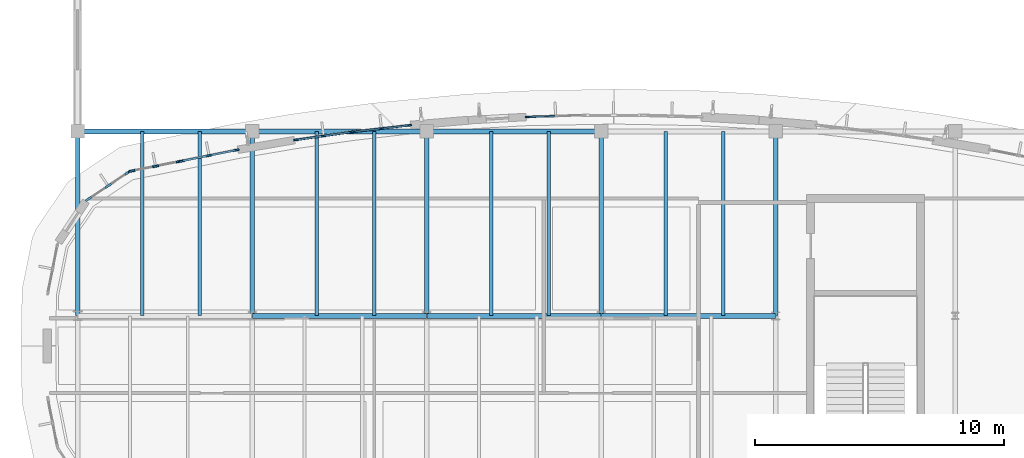
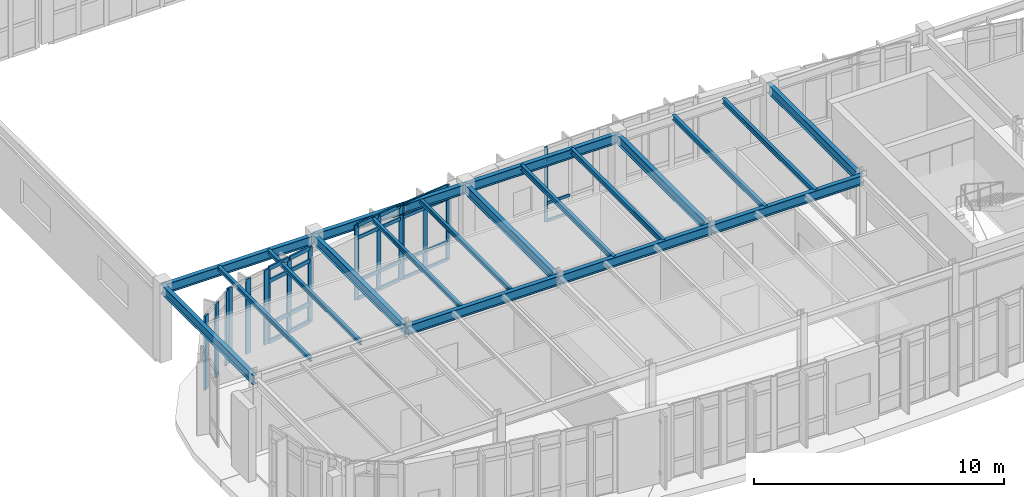
# One storey, part 37 of 111: 43 members, 19 beams, 6 elements without a shape of their own.
"""IFC4 building model written with IfcOpenShell, lengths in metres."""

from ifc_helpers import new_model, si_unit, direction, frame, origin, origin_2d, place, context, subcontext, project, spatial, rectangle, i_section, extrude, material, material_profile, profile_set, type_object, element, aggregate, save


model = new_model("IFC4")

# Units and contexts
model_context = context("Model", 3, precision=1e-05, world=origin(), true_north=direction((0.0, 1.0)))
body_context = subcontext(model_context, "Body", "Model", "MODEL_VIEW")
ifc_project = project(units=[si_unit("LENGTHUNIT", "METRE"), si_unit("AREAUNIT", "SQUARE_METRE"), si_unit("VOLUMEUNIT", "CUBIC_METRE"), si_unit("PLANEANGLEUNIT", "RADIAN"), si_unit("MASSUNIT", "GRAM", prefix="KILO")], contexts=[model_context])

# Site, building, storey
site_placement = place(None, origin())
site = spatial("IfcSite", under=ifc_project, at=site_placement, CompositionType="ELEMENT")
building_placement = place(site_placement, origin())
building = spatial("IfcBuilding", under=site, at=building_placement, Name="Corveleigh Park Community Centre", CompositionType="ELEMENT")
storey_placement = place(building_placement, frame((0.0, 0.0, 4.800048828125)))
storey = spatial("IfcBuildingStorey", under=building, at=storey_placement, Name="L01", CompositionType="ELEMENT", Elevation=4.800048828125)

# Beams
ifc_material_1 = material(Name="Steel S355", Category="steel")
ifc_material_profile_1 = material_profile(ifc_material_1, i_section(OverallWidth=0.13330078125, OverallDepth=0.203125, WebThickness=0.005615234375, FlangeThickness=0.0078125, at=origin_2d()), Name="UKB 203x133x25", Category="steel")
ifc_profile_set_1 = profile_set([ifc_material_profile_1], Name="Steel S355")
beam_type_1 = type_object("IfcBeamType", Name="BM-STL-UKB203x25", PredefinedType="JOIST", material=ifc_profile_set_1)
for number, where, z_axis, x_axis, name in (
    (1, (13.7900390625, 85.405029296875, 3.51025390625), (0.0, 1.0, 0.0), (-1.0, 0.0, 0.0), "Secondary floor joist"),
    (2, (16.10009765625, 85.405029296875, 3.51025390625), (0.0, 1.0, 0.0), (-1.0, 0.0, 0.0), "Secondary floor joist"),
):
    element("IfcBeam", number, at=place(storey_placement, frame(where, z_axis=z_axis, x_axis=x_axis)), inside=storey, type_object=beam_type_1, Name=name, PredefinedType="JOIST", context=body_context, shape_type="SweptSolid", body=[
        extrude(i_section(OverallWidth=0.13330078125, OverallDepth=0.203125, WebThickness=0.005615234375, FlangeThickness=0.0078125, at=origin_2d()), origin(), (0.0, 0.0, 1.0), 7.389892578125),
    ])
ifc_material_profile_2 = material_profile(ifc_material_1, i_section(OverallWidth=0.1337890625, OverallDepth=0.206787109375, WebThickness=0.00634765625, FlangeThickness=0.009521484375, at=origin_2d()), Name="UKB 203x133x30", Category="steel")
ifc_profile_set_2 = profile_set([ifc_material_profile_2], Name="Steel S355")
beam_type_2 = type_object("IfcBeamType", Name="BM-STL-UKB203x30", PredefinedType="JOIST", material=ifc_profile_set_2)
for number, where, z_axis, x_axis, name in (
    (3, (20.7900390625, 85.405029296875, 3.553466796875), (0.0, 1.0, 0.0), (-1.0, 0.0, 0.0), "Secondary floor joist"),
    (4, (23.10009765625, 85.405029296875, 3.553466796875), (0.0, 1.0, 0.0), (-1.0, 0.0, 0.0), "Secondary floor joist"),
):
    element("IfcBeam", number, at=place(storey_placement, frame(where, z_axis=z_axis, x_axis=x_axis)), inside=storey, type_object=beam_type_2, Name=name, PredefinedType="JOIST", context=body_context, shape_type="SweptSolid", body=[
        extrude(i_section(OverallWidth=0.1337890625, OverallDepth=0.206787109375, WebThickness=0.00634765625, FlangeThickness=0.009521484375, at=origin_2d()), origin(), (0.0, 0.0, 1.0), 7.389892578125),
    ])
ifc_material_profile_3 = material_profile(ifc_material_1, i_section(OverallWidth=0.14599609375, OverallDepth=0.25146484375, WebThickness=0.006103515625, FlangeThickness=0.008544921875, at=origin_2d()), Name="UKB 254x146x31", Category="steel")
ifc_profile_set_3 = profile_set([ifc_material_profile_3], Name="Steel S355")
beam_type_3 = type_object("IfcBeamType", Name="BM-STL-UKB254x31", PredefinedType="JOIST", material=ifc_profile_set_3)
for number, where, z_axis, x_axis, name in (
    (5, (27.7900390625, 85.405029296875, 3.53125), (0.0, 1.0, 0.0), (-1.0, 0.0, 0.0), "Secondary floor joist"),
    (6, (30.10009765625, 85.405029296875, 3.53125), (0.0, 1.0, 0.0), (-1.0, 0.0, 0.0), "Secondary floor joist"),
):
    element("IfcBeam", number, at=place(storey_placement, frame(where, z_axis=z_axis, x_axis=x_axis)), inside=storey, type_object=beam_type_3, Name=name, PredefinedType="JOIST", context=body_context, shape_type="SweptSolid", body=[
        extrude(i_section(OverallWidth=0.14599609375, OverallDepth=0.25146484375, WebThickness=0.006103515625, FlangeThickness=0.008544921875, at=origin_2d()), origin(), (0.0, 0.0, 1.0), 7.389892578125),
    ])
ifc_material_profile_4 = material_profile(ifc_material_1, i_section(OverallWidth=0.146484375, OverallDepth=0.256103515625, WebThickness=0.00634765625, FlangeThickness=0.010986328125, at=origin_2d()), Name="UKB 254x146x37", Category="steel")
ifc_profile_set_4 = profile_set([ifc_material_profile_4], Name="Steel S355")
beam_type_4 = type_object("IfcBeamType", Name="BM-STL-UKB254x37", PredefinedType="JOIST", material=ifc_profile_set_4)
for number, where, z_axis, x_axis, name in (
    (7, (34.7900390625, 85.405029296875, 3.529052734375), (0.0, 1.0, 0.0), (-1.0, 0.0, 0.0), "Secondary floor joist"),
    (8, (37.10009765625, 85.405029296875, 3.529052734375), (0.0, 1.0, 0.0), (-1.0, 0.0, 0.0), "Secondary floor joist"),
):
    element("IfcBeam", number, at=place(storey_placement, frame(where, z_axis=z_axis, x_axis=x_axis)), inside=storey, type_object=beam_type_4, Name=name, PredefinedType="JOIST", context=body_context, shape_type="SweptSolid", body=[
        extrude(i_section(OverallWidth=0.146484375, OverallDepth=0.256103515625, WebThickness=0.00634765625, FlangeThickness=0.010986328125, at=origin_2d()), origin(), (0.0, 0.0, 1.0), 7.389892578125),
    ])
ifc_material_profile_5 = material_profile(ifc_material_1, i_section(OverallWidth=0.1904296875, OverallDepth=0.45703125, WebThickness=0.009033203125, FlangeThickness=0.014404296875, at=origin_2d()), Name="UKB 457x191x74", Category="steel")
ifc_profile_set_5 = profile_set([ifc_material_profile_5], Name="Steel S355")
beam_type_5 = type_object("IfcBeamType", Name="BM-STL-UKB457x74", PredefinedType="BEAM", material=ifc_profile_set_5)
for number, where, z_axis, x_axis, name in (
    (9, (11.199951171875, 85.405029296875, 3.428466796875), (0.0, 1.0, 0.0), (-1.0, 0.0, 0.0), "V2 Studio Girder Y"),
    (10, (18.199951171875, 85.405029296875, 3.428466796875), (0.0, 1.0, 0.0), (-1.0, 0.0, 0.0), "V2 Studio Girder Y"),
    (11, (25.199951171875, 85.405029296875, 3.428466796875), (0.0, 1.0, 0.0), (-1.0, 0.0, 0.0), "V2 Studio Girder Y"),
    (12, (32.199951171875, 85.405029296875, 3.428466796875), (0.0, 1.0, 0.0), (-1.0, 0.0, 0.0), "V2 Studio Girder Y"),
    (13, (39.199951171875, 85.405029296875, 3.428466796875), (0.0, 1.0, 0.0), (-1.0, 0.0, 0.0), "V2 Studio Girder Y"),
):
    element("IfcBeam", number, at=place(storey_placement, frame(where, z_axis=z_axis, x_axis=x_axis)), inside=storey, type_object=beam_type_5, Name=name, PredefinedType="BEAM", context=body_context, shape_type="SweptSolid", body=[
        extrude(i_section(OverallWidth=0.1904296875, OverallDepth=0.45703125, WebThickness=0.009033203125, FlangeThickness=0.014404296875, at=origin_2d()), origin(), (0.0, 0.0, 1.0), 7.389892578125),
    ])
ifc_material_profile_6 = material_profile(ifc_material_1, i_section(OverallWidth=0.19140625, OverallDepth=0.4599609375, WebThickness=0.010009765625, FlangeThickness=0.01611328125, at=origin_2d()), Name="UKB 457x191x82", Category="steel")
ifc_profile_set_6 = profile_set([ifc_material_profile_6], Name="Steel S355")
beam_type_6 = type_object("IfcBeamType", Name="BM-STL-UKB457x82", PredefinedType="BEAM", material=ifc_profile_set_6)
for number, where, z_axis, x_axis, name in (
    (14, (18.205078125, 85.39990234375, 3.427001953125), (1.0, 0.0, 0.0), (0.0, 1.0, 0.0), "V2 Studio Girder X"),
    (15, (25.205078125, 85.39990234375, 3.427001953125), (1.0, 0.0, 0.0), (0.0, 1.0, 0.0), "V2 Studio Girder X"),
    (16, (32.205078125, 85.39990234375, 3.427001953125), (1.0, 0.0, 0.0), (0.0, 1.0, 0.0), "V2 Studio Girder X"),
    (17, (11.205078125, 92.800048828125, 3.3818359375), (1.0, 0.0, 0.0), (0.0, 1.0, 0.0), "V2 Studio Girder X"),
    (18, (18.205078125, 92.800048828125, 3.427001953125), (1.0, 0.0, 0.0), (0.0, 1.0, 0.0), "V2 Studio Girder X"),
    (19, (25.205078125, 92.800048828125, 3.427001953125), (1.0, 0.0, 0.0), (0.0, 1.0, 0.0), "V2 Studio Girder X"),
):
    element("IfcBeam", number, at=place(storey_placement, frame(where, z_axis=z_axis, x_axis=x_axis)), inside=storey, type_object=beam_type_6, Name=name, PredefinedType="BEAM", context=body_context, shape_type="SweptSolid", body=[
        extrude(i_section(OverallWidth=0.19140625, OverallDepth=0.4599609375, WebThickness=0.010009765625, FlangeThickness=0.01611328125, at=origin_2d()), origin(), (0.0, 0.0, 1.0), 6.989990234375),
    ])

# Curtain wall, member
ifc_material_2 = material(Name="Anodised aluminium 6063-T6", Category="aluminium")
curtain_wall_type = type_object("IfcCurtainWallType", Name="CW-SYS-V2-HALL", PredefinedType="NOTDEFINED", material=ifc_material_2)
curtain_wall_1_placement = place(storey_placement, origin())
curtain_wall_1 = element("IfcCurtainWall", 20, at=curtain_wall_1_placement, inside=storey, type_object=curtain_wall_type, Name="V2 L01 Curtain Wall 217", PredefinedType="NOTDEFINED")
ifc_material_profile_7 = material_profile(ifc_material_2, rectangle(XDim=0.06005859375, YDim=0.159912109375, at=origin_2d()), Name="ALU-M60x160", Category="aluminium")
ifc_profile_set_7 = profile_set([ifc_material_profile_7], Name="Anodised aluminium 6063-T6")
member_type_1 = type_object("IfcMemberType", Name="CWM-60x160", PredefinedType="MULLION", material=ifc_profile_set_7)
member_1_placement = place(storey_placement, frame((29.239013671875, 93.37890625, 0.0), z_axis=(0.0, 0.0, 1.0), x_axis=(-0.028498139871, 0.999593845531, 0.0)))
member_1 = element("IfcMember", 21, at=member_1_placement, type_object=member_type_1, Name="CW04 mullion 1", PredefinedType="MULLION", context=body_context, shape_type="SweptSolid", body=[
    extrude(rectangle(XDim=0.06005859375, YDim=0.159912109375, at=origin_2d()), origin(), (0.0, 0.0, 1.0), 3.656982421875),
])

# Curtain wall, members
curtain_wall_2_placement = place(storey_placement, origin())
curtain_wall_2 = element("IfcCurtainWall", 22, at=curtain_wall_2_placement, inside=storey, type_object=curtain_wall_type, Name="V2 L01 Curtain Wall 218", PredefinedType="NOTDEFINED")
ifc_material_profile_8 = material_profile(ifc_material_2, rectangle(XDim=0.06494140625, YDim=0.179931640625, at=origin_2d()), Name="ALU-M65x180", Category="aluminium")
ifc_profile_set_8 = profile_set([ifc_material_profile_8], Name="Anodised aluminium 6063-T6")
member_type_2 = type_object("IfcMemberType", Name="CWM-65x180", PredefinedType="MULLION", material=ifc_profile_set_8)
member_2_placement = place(storey_placement, frame((22.267333984375, 92.78857421875, 0.0), z_axis=(0.0, 0.0, 1.0), x_axis=(-0.113132523128, 0.99357990731, 0.0)))
member_2 = element("IfcMember", 23, at=member_2_placement, type_object=member_type_2, Name="CW04 mullion 1", PredefinedType="MULLION", context=body_context, shape_type="SweptSolid", body=[
    extrude(rectangle(XDim=0.06494140625, YDim=0.179931640625, at=origin_2d()), origin(), (0.0, 0.0, 1.0), 3.656982421875),
])
member_3_placement = place(storey_placement, frame((23.385498046875, 92.916015625, 0.0), z_axis=(0.0, 0.0, 1.0), x_axis=(-0.113132523128, 0.99357990731, 0.0)))
member_3 = element("IfcMember", 24, at=member_3_placement, type_object=member_type_2, Name="CW04 mullion 2", PredefinedType="MULLION", context=body_context, shape_type="SweptSolid", body=[
    extrude(rectangle(XDim=0.06494140625, YDim=0.179931640625, at=origin_2d()), origin(), (0.0, 0.0, 1.0), 3.656982421875),
])
member_4_placement = place(storey_placement, frame((24.503662109375, 93.043212890625, 0.0), z_axis=(0.0, 0.0, 1.0), x_axis=(-0.113132523128, 0.99357990731, 0.0)))
member_4 = element("IfcMember", 25, at=member_4_placement, type_object=member_type_2, Name="CW04 mullion 3", PredefinedType="MULLION", context=body_context, shape_type="SweptSolid", body=[
    extrude(rectangle(XDim=0.06494140625, YDim=0.179931640625, at=origin_2d()), origin(), (0.0, 0.0, 1.0), 3.656982421875),
])

curtain_wall_3_placement = place(storey_placement, origin())
curtain_wall_3 = element("IfcCurtainWall", 26, at=curtain_wall_3_placement, inside=storey, type_object=curtain_wall_type, Name="V2 L01 Curtain Wall 219", PredefinedType="NOTDEFINED")
ifc_material_profile_9 = material_profile(ifc_material_2, rectangle(XDim=0.070068359375, YDim=0.199951171875, at=origin_2d()), Name="ALU-M70x200", Category="aluminium")
ifc_profile_set_9 = profile_set([ifc_material_profile_9], Name="Anodised aluminium 6063-T6")
member_type_3 = type_object("IfcMemberType", Name="CWM-70x200", PredefinedType="MULLION", material=ifc_profile_set_9)
member_5_placement = place(storey_placement, frame((19.959716796875, 92.4599609375, 0.0), z_axis=(0.0, 0.0, 1.0), x_axis=(-0.141663216042, 0.989914912111, 0.0)))
member_5 = element("IfcMember", 27, at=member_5_placement, type_object=member_type_3, Name="CW04 mullion 1", PredefinedType="MULLION", context=body_context, shape_type="SweptSolid", body=[
    extrude(rectangle(XDim=0.070068359375, YDim=0.199951171875, at=origin_2d()), origin(), (0.0, 0.0, 1.0), 3.656982421875),
])
member_6_placement = place(storey_placement, frame((21.071044921875, 92.618896484375, 0.0), z_axis=(0.0, 0.0, 1.0), x_axis=(-0.141663216042, 0.989914912111, 0.0)))
member_6 = element("IfcMember", 28, at=member_6_placement, type_object=member_type_3, Name="CW04 mullion 2", PredefinedType="MULLION", context=body_context, shape_type="SweptSolid", body=[
    extrude(rectangle(XDim=0.070068359375, YDim=0.199951171875, at=origin_2d()), origin(), (0.0, 0.0, 1.0), 3.656982421875),
])
member_7_placement = place(storey_placement, frame((22.182373046875, 92.778076171875, 0.0), z_axis=(0.0, 0.0, 1.0), x_axis=(-0.141663216042, 0.989914912111, 0.0)))
member_7 = element("IfcMember", 29, at=member_7_placement, type_object=member_type_3, Name="CW04 mullion 3", PredefinedType="MULLION", context=body_context, shape_type="SweptSolid", body=[
    extrude(rectangle(XDim=0.070068359375, YDim=0.199951171875, at=origin_2d()), origin(), (0.0, 0.0, 1.0), 3.656982421875),
])

curtain_wall_4_placement = place(storey_placement, origin())
curtain_wall_4 = element("IfcCurtainWall", 30, at=curtain_wall_4_placement, inside=storey, type_object=curtain_wall_type, Name="V2 L01 Curtain Wall 220", PredefinedType="NOTDEFINED")
ifc_material_profile_10 = material_profile(ifc_material_2, rectangle(XDim=0.074951171875, YDim=0.219970703125, at=origin_2d()), Name="ALU-M75x220", Category="aluminium")
ifc_profile_set_10 = profile_set([ifc_material_profile_10], Name="Anodised aluminium 6063-T6")
member_type_4 = type_object("IfcMemberType", Name="CWM-75x220", PredefinedType="MULLION", material=ifc_profile_set_10)
member_8_placement = place(storey_placement, frame((15.370849609375, 91.6083984375, 0.0), z_axis=(0.0, 0.0, 1.0), x_axis=(-0.197111378544, 0.980381101638, 0.0)))
member_8 = element("IfcMember", 31, at=member_8_placement, type_object=member_type_4, Name="CW04 mullion 1", PredefinedType="MULLION", context=body_context, shape_type="SweptSolid", body=[
    extrude(rectangle(XDim=0.074951171875, YDim=0.219970703125, at=origin_2d()), origin(), (0.0, 0.0, 1.0), 3.656982421875),
])
member_9_placement = place(storey_placement, frame((16.470458984375, 91.82958984375, 0.0), z_axis=(0.0, 0.0, 1.0), x_axis=(-0.197111378544, 0.980381101638, 0.0)))
member_9 = element("IfcMember", 32, at=member_9_placement, type_object=member_type_4, Name="CW04 mullion 2", PredefinedType="MULLION", context=body_context, shape_type="SweptSolid", body=[
    extrude(rectangle(XDim=0.074951171875, YDim=0.219970703125, at=origin_2d()), origin(), (0.0, 0.0, 1.0), 3.656982421875),
])
member_10_placement = place(storey_placement, frame((17.5703125, 92.050537109375, 0.0), z_axis=(0.0, 0.0, 1.0), x_axis=(-0.197111378544, 0.980381101638, 0.0)))
member_10 = element("IfcMember", 33, at=member_10_placement, type_object=member_type_4, Name="CW04 mullion 3", PredefinedType="MULLION", context=body_context, shape_type="SweptSolid", body=[
    extrude(rectangle(XDim=0.074951171875, YDim=0.219970703125, at=origin_2d()), origin(), (0.0, 0.0, 1.0), 3.656982421875),
])

curtain_wall_5_placement = place(storey_placement, origin())
curtain_wall_5 = element("IfcCurtainWall", 34, at=curtain_wall_5_placement, inside=storey, type_object=curtain_wall_type, Name="V2 L01 Curtain Wall 221", PredefinedType="NOTDEFINED")
ifc_material_profile_11 = material_profile(ifc_material_2, rectangle(XDim=0.080078125, YDim=0.25, at=origin_2d()), Name="ALU-M80x250", Category="aluminium")
ifc_profile_set_11 = profile_set([ifc_material_profile_11], Name="Anodised aluminium 6063-T6")
member_type_5 = type_object("IfcMemberType", Name="CWM-80x250", PredefinedType="MULLION", material=ifc_profile_set_11)
member_11_placement = place(storey_placement, frame((13.372314453125, 91.210693359375, 0.0), z_axis=(0.0, 0.0, 1.0), x_axis=(-0.195262640231, 0.980750988442, 0.0)))
member_11 = element("IfcMember", 35, at=member_11_placement, type_object=member_type_5, Name="CW04 mullion 1", PredefinedType="MULLION", context=body_context, shape_type="SweptSolid", body=[
    extrude(rectangle(XDim=0.080078125, YDim=0.25, at=origin_2d()), origin(), (0.0, 0.0, 1.0), 3.656982421875),
])
member_12_placement = place(storey_placement, frame((14.327392578125, 91.40087890625, 0.0), z_axis=(0.0, 0.0, 1.0), x_axis=(-0.195262640231, 0.980750988442, 0.0)))
member_12 = element("IfcMember", 36, at=member_12_placement, type_object=member_type_5, Name="CW04 mullion 2", PredefinedType="MULLION", context=body_context, shape_type="SweptSolid", body=[
    extrude(rectangle(XDim=0.080078125, YDim=0.25, at=origin_2d()), origin(), (0.0, 0.0, 1.0), 3.656982421875),
])
member_13_placement = place(storey_placement, frame((15.28271484375, 91.59130859375, 0.0), z_axis=(0.0, 0.0, 1.0), x_axis=(-0.195262640231, 0.980750988442, 0.0)))
member_13 = element("IfcMember", 37, at=member_13_placement, type_object=member_type_5, Name="CW04 mullion 3", PredefinedType="MULLION", context=body_context, shape_type="SweptSolid", body=[
    extrude(rectangle(XDim=0.080078125, YDim=0.25, at=origin_2d()), origin(), (0.0, 0.0, 1.0), 3.656982421875),
])
aggregate(curtain_wall_5, [member_11, member_12, member_13])

curtain_wall_6_placement = place(storey_placement, origin())
curtain_wall_6 = element("IfcCurtainWall", 38, at=curtain_wall_6_placement, inside=storey, type_object=curtain_wall_type, Name="V2 L01 Curtain Wall 222", PredefinedType="NOTDEFINED")
ifc_material_profile_12 = material_profile(ifc_material_2, rectangle(XDim=0.0849609375, YDim=0.27490234375, at=origin_2d()), Name="ALU-M85x275", Category="aluminium")
ifc_profile_set_12 = profile_set([ifc_material_profile_12], Name="Anodised aluminium 6063-T6")
member_type_6 = type_object("IfcMemberType", Name="CWM-85x275", PredefinedType="MULLION", material=ifc_profile_set_12)
member_14_placement = place(storey_placement, frame((11.63330078125, 90.087646484375, 0.0), z_axis=(0.0, 0.0, 1.0), x_axis=(-0.555512027575, 0.831508500991, 0.0)))
member_14 = element("IfcMember", 39, at=member_14_placement, type_object=member_type_6, Name="CW04 mullion 1", PredefinedType="MULLION", context=body_context, shape_type="SweptSolid", body=[
    extrude(rectangle(XDim=0.0849609375, YDim=0.27490234375, at=origin_2d()), origin(), (0.0, 0.0, 1.0), 3.612060546875),
])
member_15_placement = place(storey_placement, frame((12.425048828125, 90.616455078125, 0.0), z_axis=(0.0, 0.0, 1.0), x_axis=(-0.555512027575, 0.831508500991, 0.0)))
member_15 = element("IfcMember", 40, at=member_15_placement, type_object=member_type_6, Name="CW04 mullion 2", PredefinedType="MULLION", context=body_context, shape_type="SweptSolid", body=[
    extrude(rectangle(XDim=0.0849609375, YDim=0.27490234375, at=origin_2d()), origin(), (0.0, 0.0, 1.0), 3.612060546875),
])
member_16_placement = place(storey_placement, frame((13.216552734375, 91.1455078125, 0.0), z_axis=(0.0, 0.0, 1.0), x_axis=(-0.555512027575, 0.831508500991, 0.0)))
member_16 = element("IfcMember", 41, at=member_16_placement, type_object=member_type_6, Name="CW04 mullion 3", PredefinedType="MULLION", context=body_context, shape_type="SweptSolid", body=[
    extrude(rectangle(XDim=0.0849609375, YDim=0.27490234375, at=origin_2d()), origin(), (0.0, 0.0, 1.0), 3.612060546875),
])
aggregate(curtain_wall_6, [member_14, member_15, member_16])

# Member
ifc_material_profile_13 = material_profile(ifc_material_2, rectangle(XDim=0.06494140625, YDim=0.139892578125, at=origin_2d()), Name="ALU-T65x140", Category="aluminium")
ifc_profile_set_13 = profile_set([ifc_material_profile_13], Name="Anodised aluminium 6063-T6")
member_type_7 = type_object("IfcMemberType", Name="CWT-65x140", PredefinedType="USERDEFINED", material=ifc_profile_set_13)
member_17_placement = place(storey_placement, frame((29.26904296875, 93.379638671875, 0.032470703125), z_axis=(0.999591526804, 0.028579355181, 0.0), x_axis=(-0.028579355181, 0.999591526804, 0.0)))
member_17 = element("IfcMember", 42, at=member_17_placement, type_object=member_type_7, Name="CW04 transom 1.1", ObjectType="TRANSOM", PredefinedType="USERDEFINED", context=body_context, shape_type="SweptSolid", body=[
    extrude(rectangle(XDim=0.06494140625, YDim=0.139892578125, at=origin_2d()), origin(), (0.0, 0.0, 1.0), 1.06787109375),
])

member_18_placement = place(storey_placement, frame((29.26904296875, 93.379638671875, 0.89990234375), z_axis=(0.999591526804, 0.028579355181, 0.0), x_axis=(-0.028579355181, 0.999591526804, 0.0)))
member_18 = element("IfcMember", 43, at=member_18_placement, type_object=member_type_7, Name="CW04 transom 1.2", ObjectType="TRANSOM", PredefinedType="USERDEFINED", context=body_context, shape_type="SweptSolid", body=[
    extrude(rectangle(XDim=0.06494140625, YDim=0.139892578125, at=origin_2d()), origin(), (0.0, 0.0, 1.0), 1.06787109375),
])

member_19_placement = place(storey_placement, frame((29.26904296875, 93.379638671875, 3.0068359375), z_axis=(0.999591526804, 0.028579355181, 0.0), x_axis=(-0.028579355181, 0.999591526804, 0.0)))
member_19 = element("IfcMember", 44, at=member_19_placement, type_object=member_type_7, Name="CW04 transom 1.3", ObjectType="TRANSOM", PredefinedType="USERDEFINED", context=body_context, shape_type="SweptSolid", body=[
    extrude(rectangle(XDim=0.06494140625, YDim=0.139892578125, at=origin_2d()), origin(), (0.0, 0.0, 1.0), 1.06787109375),
])

aggregate(curtain_wall_1, [member_1, member_17, member_18, member_19])

ifc_material_profile_14 = material_profile(ifc_material_2, rectangle(XDim=0.070068359375, YDim=0.155029296875, at=origin_2d()), Name="ALU-T70x155", Category="aluminium")
ifc_profile_set_14 = profile_set([ifc_material_profile_14], Name="Anodised aluminium 6063-T6")
member_type_8 = type_object("IfcMemberType", Name="CWT-70x155", PredefinedType="USERDEFINED", material=ifc_profile_set_14)
member_20_placement = place(storey_placement, frame((22.299560546875, 92.792236328125, 0.034912109375), z_axis=(0.993565279533, 0.113260916944, 0.0), x_axis=(-0.113260916944, 0.993565279533, 0.0)))
member_20 = element("IfcMember", 45, at=member_20_placement, type_object=member_type_8, Name="CW04 transom 1.1", ObjectType="TRANSOM", PredefinedType="USERDEFINED", context=body_context, shape_type="SweptSolid", body=[
    extrude(rectangle(XDim=0.070068359375, YDim=0.155029296875, at=origin_2d()), origin(), (0.0, 0.0, 1.0), 1.060546875),
])

member_21_placement = place(storey_placement, frame((22.299560546875, 92.792236328125, 0.89990234375), z_axis=(0.993565279533, 0.113260916944, 0.0), x_axis=(-0.113260916944, 0.993565279533, 0.0)))
member_21 = element("IfcMember", 46, at=member_21_placement, type_object=member_type_8, Name="CW04 transom 1.2", ObjectType="TRANSOM", PredefinedType="USERDEFINED", context=body_context, shape_type="SweptSolid", body=[
    extrude(rectangle(XDim=0.070068359375, YDim=0.155029296875, at=origin_2d()), origin(), (0.0, 0.0, 1.0), 1.060546875),
])

member_22_placement = place(storey_placement, frame((22.299560546875, 92.792236328125, 3.0068359375), z_axis=(0.993565279533, 0.113260916944, 0.0), x_axis=(-0.113260916944, 0.993565279533, 0.0)))
member_22 = element("IfcMember", 47, at=member_22_placement, type_object=member_type_8, Name="CW04 transom 1.3", ObjectType="TRANSOM", PredefinedType="USERDEFINED", context=body_context, shape_type="SweptSolid", body=[
    extrude(rectangle(XDim=0.070068359375, YDim=0.155029296875, at=origin_2d()), origin(), (0.0, 0.0, 1.0), 1.060546875),
])

member_23_placement = place(storey_placement, frame((22.299560546875, 92.792236328125, 3.6220703125), z_axis=(0.993565279533, 0.113260916944, 0.0), x_axis=(-0.113260916944, 0.993565279533, 0.0)))
member_23 = element("IfcMember", 48, at=member_23_placement, type_object=member_type_8, Name="CW04 transom 1.4", ObjectType="TRANSOM", PredefinedType="USERDEFINED", context=body_context, shape_type="SweptSolid", body=[
    extrude(rectangle(XDim=0.070068359375, YDim=0.155029296875, at=origin_2d()), origin(), (0.0, 0.0, 1.0), 1.060546875),
])

member_24_placement = place(storey_placement, frame((23.417724609375, 92.919677734375, 0.034912109375), z_axis=(0.993591159686, 0.113033656025, 0.0), x_axis=(-0.113033656025, 0.993591159686, 0.0)))
member_24 = element("IfcMember", 49, at=member_24_placement, type_object=member_type_8, Name="CW04 transom 2.1", ObjectType="TRANSOM", PredefinedType="USERDEFINED", context=body_context, shape_type="SweptSolid", body=[
    extrude(rectangle(XDim=0.070068359375, YDim=0.155029296875, at=origin_2d()), origin(), (0.0, 0.0, 1.0), 1.060546875),
])

member_25_placement = place(storey_placement, frame((23.417724609375, 92.919677734375, 0.89990234375), z_axis=(0.993591159686, 0.113033656025, 0.0), x_axis=(-0.113033656025, 0.993591159686, 0.0)))
member_25 = element("IfcMember", 50, at=member_25_placement, type_object=member_type_8, Name="CW04 transom 2.2", ObjectType="TRANSOM", PredefinedType="USERDEFINED", context=body_context, shape_type="SweptSolid", body=[
    extrude(rectangle(XDim=0.070068359375, YDim=0.155029296875, at=origin_2d()), origin(), (0.0, 0.0, 1.0), 1.060546875),
])

member_26_placement = place(storey_placement, frame((23.417724609375, 92.919677734375, 3.0068359375), z_axis=(0.993591159686, 0.113033656025, 0.0), x_axis=(-0.113033656025, 0.993591159686, 0.0)))
member_26 = element("IfcMember", 51, at=member_26_placement, type_object=member_type_8, Name="CW04 transom 2.3", ObjectType="TRANSOM", PredefinedType="USERDEFINED", context=body_context, shape_type="SweptSolid", body=[
    extrude(rectangle(XDim=0.070068359375, YDim=0.155029296875, at=origin_2d()), origin(), (0.0, 0.0, 1.0), 1.060546875),
])

member_27_placement = place(storey_placement, frame((23.417724609375, 92.919677734375, 3.6220703125), z_axis=(0.993591159686, 0.113033656025, 0.0), x_axis=(-0.113033656025, 0.993591159686, 0.0)))
member_27 = element("IfcMember", 52, at=member_27_placement, type_object=member_type_8, Name="CW04 transom 2.4", ObjectType="TRANSOM", PredefinedType="USERDEFINED", context=body_context, shape_type="SweptSolid", body=[
    extrude(rectangle(XDim=0.070068359375, YDim=0.155029296875, at=origin_2d()), origin(), (0.0, 0.0, 1.0), 1.060546875),
])

aggregate(curtain_wall_2, [member_2, member_3, member_4, member_20, member_21, member_22, member_23, member_24, member_25, member_26, member_27])

ifc_material_profile_15 = material_profile(ifc_material_2, rectangle(XDim=0.074951171875, YDim=0.175048828125, at=origin_2d()), Name="ALU-T75x175", Category="aluminium")
ifc_profile_set_15 = profile_set([ifc_material_profile_15], Name="Anodised aluminium 6063-T6")
member_type_9 = type_object("IfcMemberType", Name="CWT-75x175", PredefinedType="USERDEFINED", material=ifc_profile_set_15)
member_28_placement = place(storey_placement, frame((19.994384765625, 92.46484375, 0.037353515625), z_axis=(0.989907701841, 0.141713590868, 0.0), x_axis=(-0.141713590868, 0.989907701841, 0.0)))
member_28 = element("IfcMember", 53, at=member_28_placement, type_object=member_type_9, Name="CW04 transom 1.1", ObjectType="TRANSOM", PredefinedType="USERDEFINED", context=body_context, shape_type="SweptSolid", body=[
    extrude(rectangle(XDim=0.074951171875, YDim=0.175048828125, at=origin_2d()), origin(), (0.0, 0.0, 1.0), 1.052734375),
])

member_29_placement = place(storey_placement, frame((19.994384765625, 92.46484375, 0.89990234375), z_axis=(0.989907701841, 0.141713590868, 0.0), x_axis=(-0.141713590868, 0.989907701841, 0.0)))
member_29 = element("IfcMember", 54, at=member_29_placement, type_object=member_type_9, Name="CW04 transom 1.2", ObjectType="TRANSOM", PredefinedType="USERDEFINED", context=body_context, shape_type="SweptSolid", body=[
    extrude(rectangle(XDim=0.074951171875, YDim=0.175048828125, at=origin_2d()), origin(), (0.0, 0.0, 1.0), 1.052734375),
])

member_30_placement = place(storey_placement, frame((19.994384765625, 92.46484375, 3.0068359375), z_axis=(0.989907701841, 0.141713590868, 0.0), x_axis=(-0.141713590868, 0.989907701841, 0.0)))
member_30 = element("IfcMember", 55, at=member_30_placement, type_object=member_type_9, Name="CW04 transom 1.3", ObjectType="TRANSOM", PredefinedType="USERDEFINED", context=body_context, shape_type="SweptSolid", body=[
    extrude(rectangle(XDim=0.074951171875, YDim=0.175048828125, at=origin_2d()), origin(), (0.0, 0.0, 1.0), 1.052734375),
])

member_31_placement = place(storey_placement, frame((19.994384765625, 92.46484375, 3.619384765625), z_axis=(0.989907701841, 0.141713590868, 0.0), x_axis=(-0.141713590868, 0.989907701841, 0.0)))
member_31 = element("IfcMember", 56, at=member_31_placement, type_object=member_type_9, Name="CW04 transom 1.4", ObjectType="TRANSOM", PredefinedType="USERDEFINED", context=body_context, shape_type="SweptSolid", body=[
    extrude(rectangle(XDim=0.074951171875, YDim=0.175048828125, at=origin_2d()), origin(), (0.0, 0.0, 1.0), 1.052734375),
])

member_32_placement = place(storey_placement, frame((21.105712890625, 92.6240234375, 0.037353515625), z_axis=(0.989907701841, 0.141713590868, 0.0), x_axis=(-0.141713590868, 0.989907701841, 0.0)))
member_32 = element("IfcMember", 57, at=member_32_placement, type_object=member_type_9, Name="CW04 transom 2.1", ObjectType="TRANSOM", PredefinedType="USERDEFINED", context=body_context, shape_type="SweptSolid", body=[
    extrude(rectangle(XDim=0.074951171875, YDim=0.175048828125, at=origin_2d()), origin(), (0.0, 0.0, 1.0), 1.052734375),
])

member_33_placement = place(storey_placement, frame((21.105712890625, 92.6240234375, 0.89990234375), z_axis=(0.989907701841, 0.141713590868, 0.0), x_axis=(-0.141713590868, 0.989907701841, 0.0)))
member_33 = element("IfcMember", 58, at=member_33_placement, type_object=member_type_9, Name="CW04 transom 2.2", ObjectType="TRANSOM", PredefinedType="USERDEFINED", context=body_context, shape_type="SweptSolid", body=[
    extrude(rectangle(XDim=0.074951171875, YDim=0.175048828125, at=origin_2d()), origin(), (0.0, 0.0, 1.0), 1.052734375),
])

member_34_placement = place(storey_placement, frame((21.105712890625, 92.6240234375, 3.0068359375), z_axis=(0.989907701841, 0.141713590868, 0.0), x_axis=(-0.141713590868, 0.989907701841, 0.0)))
member_34 = element("IfcMember", 59, at=member_34_placement, type_object=member_type_9, Name="CW04 transom 2.3", ObjectType="TRANSOM", PredefinedType="USERDEFINED", context=body_context, shape_type="SweptSolid", body=[
    extrude(rectangle(XDim=0.074951171875, YDim=0.175048828125, at=origin_2d()), origin(), (0.0, 0.0, 1.0), 1.052734375),
])

member_35_placement = place(storey_placement, frame((21.105712890625, 92.6240234375, 3.619384765625), z_axis=(0.989907701841, 0.141713590868, 0.0), x_axis=(-0.141713590868, 0.989907701841, 0.0)))
member_35 = element("IfcMember", 60, at=member_35_placement, type_object=member_type_9, Name="CW04 transom 2.4", ObjectType="TRANSOM", PredefinedType="USERDEFINED", context=body_context, shape_type="SweptSolid", body=[
    extrude(rectangle(XDim=0.074951171875, YDim=0.175048828125, at=origin_2d()), origin(), (0.0, 0.0, 1.0), 1.052734375),
])

aggregate(curtain_wall_3, [member_5, member_6, member_7, member_28, member_29, member_30, member_31, member_32, member_33, member_34, member_35])

ifc_material_profile_16 = material_profile(ifc_material_2, rectangle(XDim=0.080078125, YDim=0.195068359375, at=origin_2d()), Name="ALU-T80x195", Category="aluminium")
ifc_profile_set_16 = profile_set([ifc_material_profile_16], Name="Anodised aluminium 6063-T6")
member_type_10 = type_object("IfcMemberType", Name="CWT-80x195", PredefinedType="USERDEFINED", material=ifc_profile_set_16)
member_36_placement = place(storey_placement, frame((15.407470703125, 91.61572265625, 0.0400390625), z_axis=(0.980391865917, 0.197057832231, 0.0), x_axis=(-0.197057832231, 0.980391865917, 0.0)))
member_36 = element("IfcMember", 61, at=member_36_placement, type_object=member_type_10, Name="CW04 transom 1.1", ObjectType="TRANSOM", PredefinedType="USERDEFINED", context=body_context, shape_type="SweptSolid", body=[
    extrude(rectangle(XDim=0.080078125, YDim=0.195068359375, at=origin_2d()), origin(), (0.0, 0.0, 1.0), 1.046875),
])

member_37_placement = place(storey_placement, frame((15.407470703125, 91.61572265625, 0.89990234375), z_axis=(0.980391865917, 0.197057832231, 0.0), x_axis=(-0.197057832231, 0.980391865917, 0.0)))
member_37 = element("IfcMember", 62, at=member_37_placement, type_object=member_type_10, Name="CW04 transom 1.2", ObjectType="TRANSOM", PredefinedType="USERDEFINED", context=body_context, shape_type="SweptSolid", body=[
    extrude(rectangle(XDim=0.080078125, YDim=0.195068359375, at=origin_2d()), origin(), (0.0, 0.0, 1.0), 1.046875),
])

member_38_placement = place(storey_placement, frame((15.407470703125, 91.61572265625, 3.0068359375), z_axis=(0.980391865917, 0.197057832231, 0.0), x_axis=(-0.197057832231, 0.980391865917, 0.0)))
member_38 = element("IfcMember", 63, at=member_38_placement, type_object=member_type_10, Name="CW04 transom 1.3", ObjectType="TRANSOM", PredefinedType="USERDEFINED", context=body_context, shape_type="SweptSolid", body=[
    extrude(rectangle(XDim=0.080078125, YDim=0.195068359375, at=origin_2d()), origin(), (0.0, 0.0, 1.0), 1.046875),
])

member_39_placement = place(storey_placement, frame((15.407470703125, 91.61572265625, 3.616943359375), z_axis=(0.980391865917, 0.197057832231, 0.0), x_axis=(-0.197057832231, 0.980391865917, 0.0)))
member_39 = element("IfcMember", 64, at=member_39_placement, type_object=member_type_10, Name="CW04 transom 1.4", ObjectType="TRANSOM", PredefinedType="USERDEFINED", context=body_context, shape_type="SweptSolid", body=[
    extrude(rectangle(XDim=0.080078125, YDim=0.195068359375, at=origin_2d()), origin(), (0.0, 0.0, 1.0), 1.046875),
])

member_40_placement = place(storey_placement, frame((16.50732421875, 91.8369140625, 0.0400390625), z_axis=(0.980382807061, 0.197102896019, 0.0), x_axis=(-0.197102896019, 0.980382807061, 0.0)))
member_40 = element("IfcMember", 65, at=member_40_placement, type_object=member_type_10, Name="CW04 transom 2.1", ObjectType="TRANSOM", PredefinedType="USERDEFINED", context=body_context, shape_type="SweptSolid", body=[
    extrude(rectangle(XDim=0.080078125, YDim=0.195068359375, at=origin_2d()), origin(), (0.0, 0.0, 1.0), 1.046630859375),
])

member_41_placement = place(storey_placement, frame((16.50732421875, 91.8369140625, 0.89990234375), z_axis=(0.980382807061, 0.197102896019, 0.0), x_axis=(-0.197102896019, 0.980382807061, 0.0)))
member_41 = element("IfcMember", 66, at=member_41_placement, type_object=member_type_10, Name="CW04 transom 2.2", ObjectType="TRANSOM", PredefinedType="USERDEFINED", context=body_context, shape_type="SweptSolid", body=[
    extrude(rectangle(XDim=0.080078125, YDim=0.195068359375, at=origin_2d()), origin(), (0.0, 0.0, 1.0), 1.046630859375),
])

member_42_placement = place(storey_placement, frame((16.50732421875, 91.8369140625, 3.0068359375), z_axis=(0.980382807061, 0.197102896019, 0.0), x_axis=(-0.197102896019, 0.980382807061, 0.0)))
member_42 = element("IfcMember", 67, at=member_42_placement, type_object=member_type_10, Name="CW04 transom 2.3", ObjectType="TRANSOM", PredefinedType="USERDEFINED", context=body_context, shape_type="SweptSolid", body=[
    extrude(rectangle(XDim=0.080078125, YDim=0.195068359375, at=origin_2d()), origin(), (0.0, 0.0, 1.0), 1.046630859375),
])

member_43_placement = place(storey_placement, frame((16.50732421875, 91.8369140625, 3.616943359375), z_axis=(0.980382807061, 0.197102896019, 0.0), x_axis=(-0.197102896019, 0.980382807061, 0.0)))
member_43 = element("IfcMember", 68, at=member_43_placement, type_object=member_type_10, Name="CW04 transom 2.4", ObjectType="TRANSOM", PredefinedType="USERDEFINED", context=body_context, shape_type="SweptSolid", body=[
    extrude(rectangle(XDim=0.080078125, YDim=0.195068359375, at=origin_2d()), origin(), (0.0, 0.0, 1.0), 1.046630859375),
])

aggregate(curtain_wall_4, [member_8, member_9, member_10, member_36, member_37, member_38, member_39, member_40, member_41, member_42, member_43])

save(model, "model.ifc")
